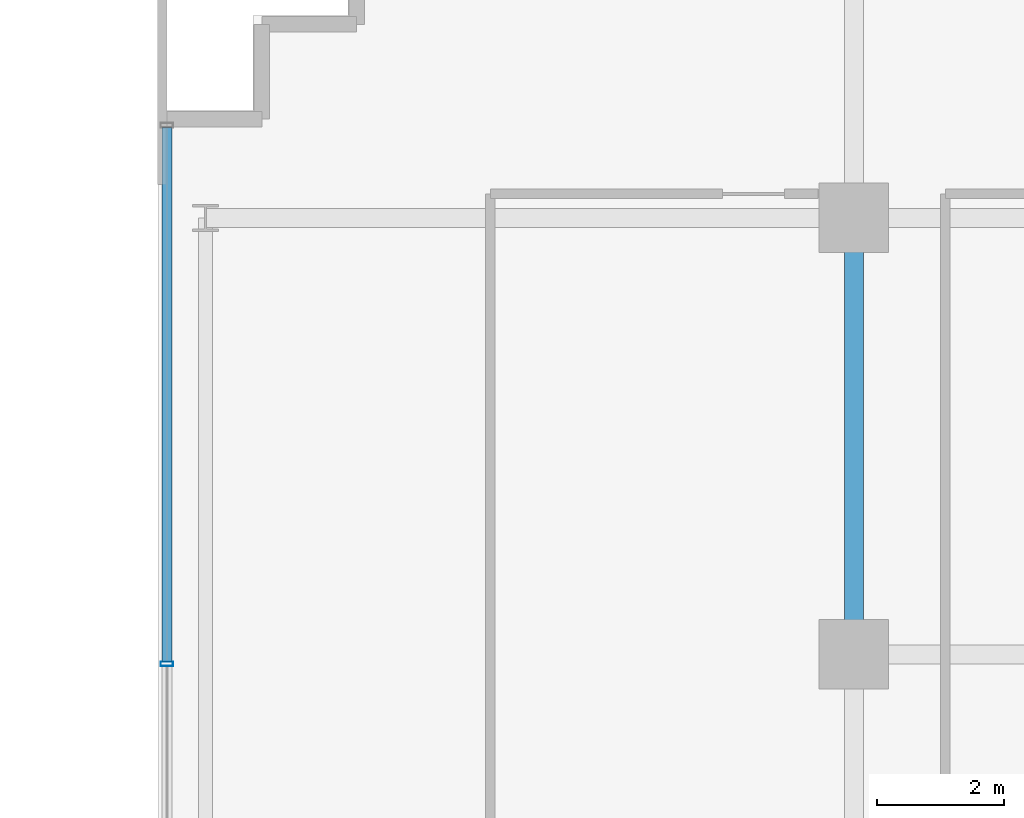
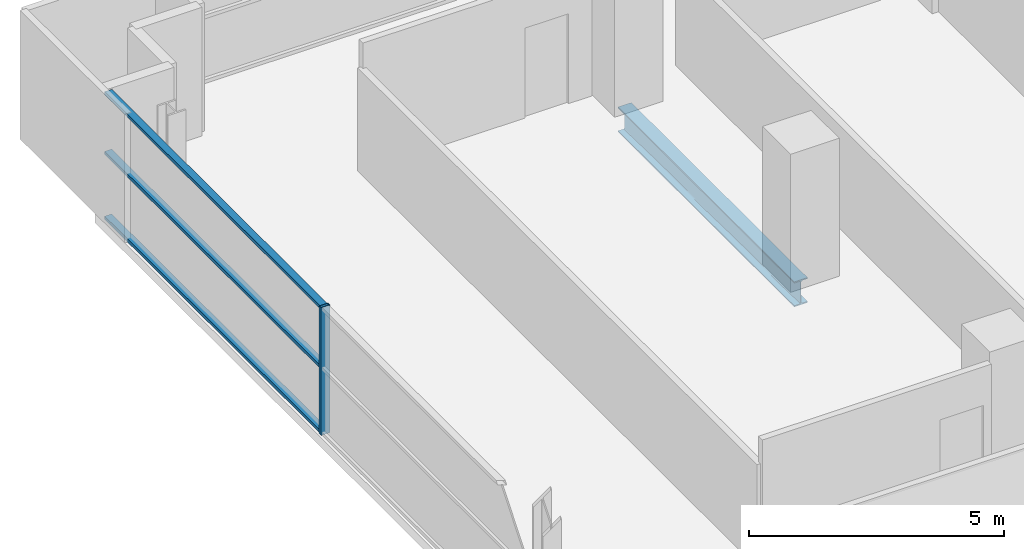
# One storey, part 7 of 30: 4 members, 1 beam, 1 element without a shape of its own.
"""IFC4 building model written with IfcOpenShell, lengths in metres."""

from ifc_helpers import new_model, si_unit, direction, frame, origin, origin_2d, place, context, subcontext, project, spatial, hollow_rectangle, i_section, extrude, source, transform, mapped, material, layer, layer_set, material_profile, profile_set, type_object, element, aggregate, save


model = new_model("IFC4")

# Units and contexts
model_context = context("Model", 3, precision=1e-05, world=origin(), true_north=direction((0.0, 1.0)))
body_context = subcontext(model_context, "Body", "Model", "MODEL_VIEW")
ifc_project = project(units=[si_unit("LENGTHUNIT", "METRE"), si_unit("AREAUNIT", "SQUARE_METRE"), si_unit("VOLUMEUNIT", "CUBIC_METRE"), si_unit("PLANEANGLEUNIT", "RADIAN"), si_unit("MASSUNIT", "GRAM", prefix="KILO")], contexts=[model_context])

# Site, building, storey
site_placement = place(None, origin())
site = spatial("IfcSite", under=ifc_project, at=site_placement, CompositionType="ELEMENT")
building_placement = place(site_placement, origin())
building = spatial("IfcBuilding", under=site, at=building_placement, Name="Zarnakvel Exchange Tower", CompositionType="ELEMENT")
storey_placement = place(building_placement, frame((0.0, 0.0, 34.0)))
storey = spatial("IfcBuildingStorey", under=building, at=storey_placement, Name="L08", CompositionType="ELEMENT", Elevation=34.0)

# Beam
ifc_material_1 = material(Name="Steel S355", Category="steel")
ifc_material_profile_1 = material_profile(ifc_material_1, i_section(OverallWidth=0.300048828125, OverallDepth=0.60009765625, WebThickness=0.015380859375, FlangeThickness=0.030029296875, FilletRadius=0.027099609375, at=origin_2d()))
ifc_profile_set_1 = profile_set([ifc_material_profile_1], Name="Steel S355")
beam_type = type_object("IfcBeamType", Name="G-04", PredefinedType="BEAM", material=ifc_profile_set_1)
beam_placement = place(storey_placement, frame((-21.60009765625, 6.60009765625, -0.52490234375), z_axis=(0.0, 1.0, 0.0), x_axis=(-1.0, 0.0, 0.0)))
element("IfcBeam", 1, at=beam_placement, inside=storey, type_object=beam_type, Name="L08 Tower N-S Frame Beam", PredefinedType="BEAM", context=body_context, shape_type="SweptSolid", body=[
    extrude(i_section(OverallWidth=0.300048828125, OverallDepth=0.60009765625, WebThickness=0.015380859375, FlangeThickness=0.030029296875, FilletRadius=0.027099609375, at=origin_2d()), origin(), (0.0, 0.0, 1.0), 6.89990234375),
])

# Curtain wall, members
ifc_material_2 = material(Name="Architectural Bronze Anodised Aluminium", Category="aluminium")
ifc_layer = layer(ifc_material_2, 0.199951171875)
ifc_layer_set = layer_set([ifc_layer], Name="Architectural Bronze Anodised Aluminium")
curtain_wall_type = type_object("IfcCurtainWallType", Name="CW-04", PredefinedType="NOTDEFINED", material=ifc_layer_set)
curtain_wall_placement = place(storey_placement, origin())
curtain_wall = element("IfcCurtainWall", 2, at=curtain_wall_placement, inside=storey, type_object=curtain_wall_type, Name="L08 Curtain Wall CW-L08-WN (CW-04)", PredefinedType="NOTDEFINED")
ifc_material_profile_2 = material_profile(ifc_material_2, hollow_rectangle(XDim=0.159912109375, YDim=0.074951171875, WallThickness=0.00390625, at=origin_2d()))
ifc_profile_set_2 = profile_set([ifc_material_profile_2], Name="Architectural Bronze Anodised Aluminium")
member_type_1 = type_object("IfcMemberType", Name="CWT-04", PredefinedType="USERDEFINED", material=ifc_profile_set_2)
shared_shape_1 = source(origin(), body_context, "Body", "SweptSolid", [
    extrude(hollow_rectangle(XDim=0.159912109375, YDim=0.074951171875, WallThickness=0.00390625, at=origin_2d()), origin(), (0.0, 0.0, 1.0), 8.4375),
])
member_1_placement = place(storey_placement, frame((-32.4599609375, 6.487548828125, 0.03759765625), z_axis=(0.0, 1.0, 0.0), x_axis=(-1.0, 0.0, 0.0)))
member_1 = element("IfcMember", 3, at=member_1_placement, type_object=member_type_1, Name="CW-04 transom 2.1", ObjectType="TRANSOM", PredefinedType="USERDEFINED", context=body_context, shape_type="MappedRepresentation", body=[
    mapped(shared_shape_1, transform((0.0, 0.0, 0.0), x_axis=(1.0, 0.0, 0.0), y_axis=(0.0, 1.0, 0.0), z_axis=(0.0, 0.0, 1.0), scale=1.0)),
])
member_2_placement = place(storey_placement, frame((-32.4599609375, 6.487548828125, 1.588623046875), z_axis=(0.0, 1.0, 0.0), x_axis=(-1.0, 0.0, 0.0)))
member_2 = element("IfcMember", 4, at=member_2_placement, type_object=member_type_1, Name="CW-04 transom 2.2", ObjectType="TRANSOM", PredefinedType="USERDEFINED", context=body_context, shape_type="MappedRepresentation", body=[
    mapped(shared_shape_1, transform((0.0, 0.0, 0.0), x_axis=(1.0, 0.0, 0.0), y_axis=(0.0, 1.0, 0.0), z_axis=(0.0, 0.0, 1.0), scale=1.0)),
])
member_3_placement = place(storey_placement, frame((-32.4599609375, 6.487548828125, 3.017578125), z_axis=(0.0, 1.0, 0.0), x_axis=(-1.0, 0.0, 0.0)))
member_3 = element("IfcMember", 5, at=member_3_placement, type_object=member_type_1, Name="CW-04 transom 2.3", ObjectType="TRANSOM", PredefinedType="USERDEFINED", context=body_context, shape_type="MappedRepresentation", body=[
    mapped(shared_shape_1, transform((0.0, 0.0, 0.0), x_axis=(1.0, 0.0, 0.0), y_axis=(0.0, 1.0, 0.0), z_axis=(0.0, 0.0, 1.0), scale=1.0)),
])
ifc_material_profile_3 = material_profile(ifc_material_2, hollow_rectangle(XDim=0.199951171875, YDim=0.074951171875, WallThickness=0.0048828125, at=origin_2d()))
ifc_profile_set_3 = profile_set([ifc_material_profile_3], Name="Architectural Bronze Anodised Aluminium")
member_type_2 = type_object("IfcMemberType", Name="CWM-04", PredefinedType="MULLION", material=ifc_profile_set_3)
shared_shape_2 = source(origin(), body_context, "Body", "SweptSolid", [
    extrude(hollow_rectangle(XDim=0.199951171875, YDim=0.074951171875, WallThickness=0.0048828125, at=origin_2d()), origin(), (0.0, 0.0, 1.0), 3.054931640625),
])
member_4_placement = place(storey_placement, frame((-32.4599609375, 6.449951171875, 0.0), z_axis=(0.0, 0.0, 1.0), x_axis=(-1.0, 0.0, 0.0)))
member_4 = element("IfcMember", 6, at=member_4_placement, type_object=member_type_2, Name="CW-04 mullion 2", PredefinedType="MULLION", context=body_context, shape_type="MappedRepresentation", body=[
    mapped(shared_shape_2, transform((0.0, 0.0, 0.0), x_axis=(1.0, 0.0, 0.0), y_axis=(0.0, 1.0, 0.0), z_axis=(0.0, 0.0, 1.0), scale=1.0)),
])
aggregate(curtain_wall, [member_4, member_1, member_2, member_3])

save(model, "model.ifc")
